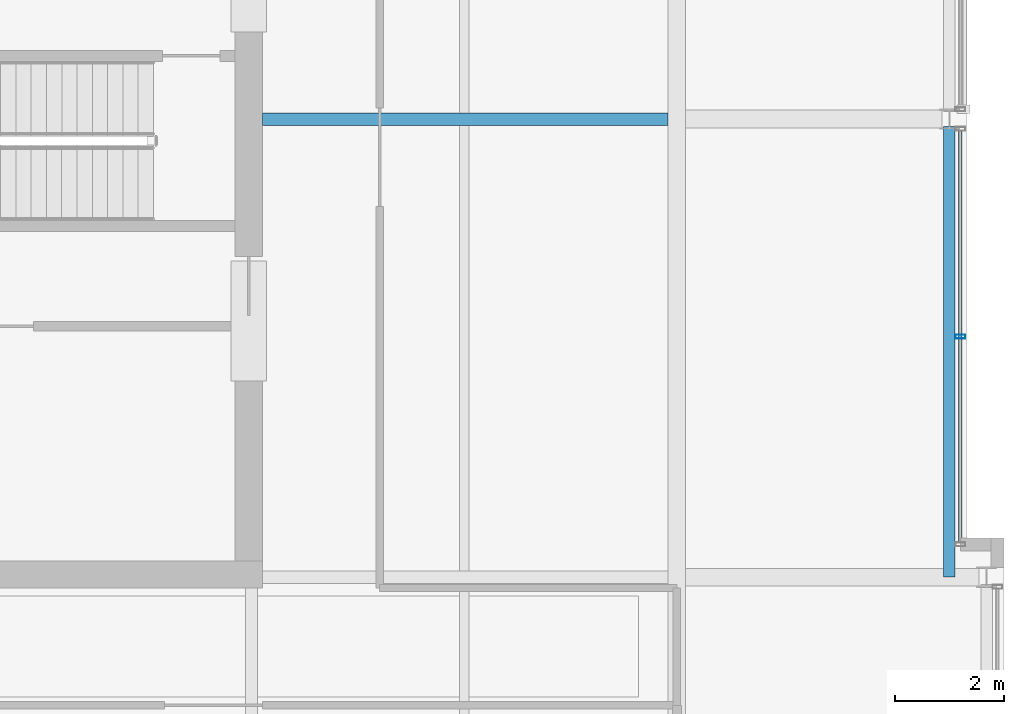
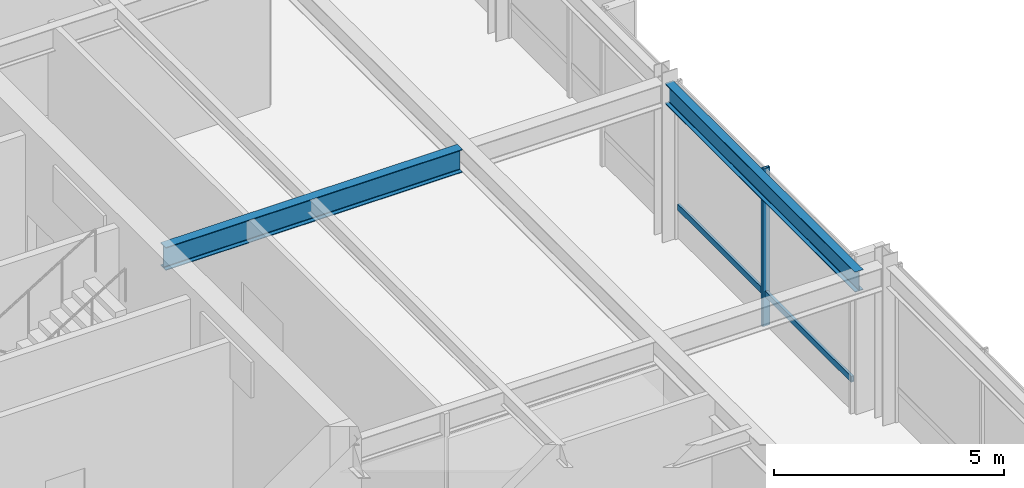
# One storey, part 15 of 32: 2 beams, 2 members, 1 element without a shape of its own.
"""IFC4 building model written with IfcOpenShell, lengths in metres."""

from ifc_helpers import new_model, si_unit, direction, frame, origin, origin_2d, place, context, subcontext, project, spatial, hollow_rectangle, i_section, extrude, material, layer, layer_set, material_profile, profile_set, type_object, element, aggregate, save


model = new_model("IFC4")

# Units and contexts
model_context = context("Model", 3, precision=1e-05, world=origin(), true_north=direction((0.0, 1.0)))
body_context = subcontext(model_context, "Body", "Model", "MODEL_VIEW")
ifc_project = project(units=[si_unit("LENGTHUNIT", "METRE"), si_unit("AREAUNIT", "SQUARE_METRE"), si_unit("VOLUMEUNIT", "CUBIC_METRE"), si_unit("PLANEANGLEUNIT", "RADIAN"), si_unit("MASSUNIT", "GRAM", prefix="KILO")], contexts=[model_context])

# Site, building, storey
site_placement = place(None, origin())
site = spatial("IfcSite", under=ifc_project, at=site_placement, CompositionType="ELEMENT")
building_placement = place(site_placement, origin())
building = spatial("IfcBuilding", under=site, at=building_placement, Name="Drelvath Grand Hotel", CompositionType="ELEMENT")
storey_placement = place(building_placement, frame((0.0, 0.0, 255.5)))
storey = spatial("IfcBuildingStorey", under=building, at=storey_placement, Name="L67", CompositionType="ELEMENT", Elevation=255.5)

# Curtain wall, members
ifc_material_1 = material(Name="Platinum-Mist Anodised Aluminium Frame", Category="aluminium")
ifc_layer = layer(ifc_material_1, 0.199951171875)
ifc_layer_set = layer_set([ifc_layer], Name="Platinum-Mist Anodised Aluminium Frame")
curtain_wall_type = type_object("IfcCurtainWallType", Name="Stick Curtain Wall CW-05 Platinum Mist High-Rise", PredefinedType="NOTDEFINED", material=ifc_layer_set)
curtain_wall_placement = place(storey_placement, origin())
curtain_wall = element("IfcCurtainWall", 1, at=curtain_wall_placement, inside=storey, type_object=curtain_wall_type, Name="L67 CW-05 Curtain Wall CW05-L67-EM1", PredefinedType="NOTDEFINED")
ifc_material_profile_1 = material_profile(ifc_material_1, hollow_rectangle(XDim=0.06494140625, YDim=0.159912109375, WallThickness=0.00390625, at=origin_2d()), Name="HSS160X65X4")
ifc_profile_set_1 = profile_set([ifc_material_profile_1], Name="Platinum-Mist Anodised Aluminium Frame")
member_type_1 = type_object("IfcMemberType", Name="Curtain Wall Horizontal Transom CW-05 HSS160X65X4", PredefinedType="USERDEFINED", material=ifc_profile_set_1)
member_1_placement = place(storey_placement, frame((21.39990234375, 26.78173828125, 0.85009765625), z_axis=(0.0, -1.0, 0.0), x_axis=(1.0, 0.0, 0.0)))
member_1 = element("IfcMember", 2, at=member_1_placement, type_object=member_type_1, Name="CW05-L67-EM1 Sill Transom", ObjectType="TRANSOM", PredefinedType="USERDEFINED", context=body_context, shape_type="SweptSolid", body=[
    extrude(hollow_rectangle(XDim=0.06494140625, YDim=0.159912109375, WallThickness=0.00390625, at=origin_2d()), origin(), (0.0, 0.0, 1.0), 7.541748046875),
])
ifc_material_profile_2 = material_profile(ifc_material_1, hollow_rectangle(XDim=0.074951171875, YDim=0.179931640625, WallThickness=0.0048828125, at=origin_2d()), Name="HSS180X75X5")
ifc_profile_set_2 = profile_set([ifc_material_profile_2], Name="Platinum-Mist Anodised Aluminium Frame")
member_type_2 = type_object("IfcMemberType", Name="Curtain Wall Vertical Mullion CW-05 HSS180X75X5", PredefinedType="MULLION", material=ifc_profile_set_2)
member_2_placement = place(storey_placement, frame((21.39990234375, 23.010986328125, 0.0), z_axis=(0.0, 0.0, 1.0), x_axis=(0.0, 1.0, 0.0)))
member_2 = element("IfcMember", 3, at=member_2_placement, type_object=member_type_2, Name="CW05-L67-EM1 Mullion 2", PredefinedType="MULLION", context=body_context, shape_type="SweptSolid", body=[
    extrude(hollow_rectangle(XDim=0.074951171875, YDim=0.179931640625, WallThickness=0.0048828125, at=origin_2d()), origin(), (0.0, 0.0, 1.0), 4.179931640625),
])
aggregate(curtain_wall, [member_2, member_1])

# Beams
ifc_material_2 = material(Name="Steel ASTM A992 Gr 50", Category="steel")
ifc_material_profile_3 = material_profile(ifc_material_2, i_section(OverallWidth=0.210205078125, OverallDepth=0.53662109375, WebThickness=0.010986328125, FlangeThickness=0.017333984375, FilletRadius=0.01806640625, at=origin_2d()), Name="W21X68")
ifc_profile_set_3 = profile_set([ifc_material_profile_3], Name="Steel ASTM A992 Gr 50")
beam_type_1 = type_object("IfcBeamType", Name="Perimeter Spandrel Beam W21X68", PredefinedType="SPANDREL", material=ifc_profile_set_3)
beam_1_placement = place(storey_placement, frame((21.199951171875, 18.60009765625, 3.91162109375), z_axis=(0.0, 1.0, 0.0), x_axis=(-1.0, 0.0, 0.0)))
element("IfcBeam", 4, at=beam_1_placement, inside=storey, type_object=beam_type_1, Name="L67 Spandrel East Mid S", PredefinedType="SPANDREL", context=body_context, shape_type="SweptSolid", body=[
    extrude(i_section(OverallWidth=0.210205078125, OverallDepth=0.53662109375, WebThickness=0.010986328125, FlangeThickness=0.017333984375, FilletRadius=0.01806640625, at=origin_2d()), origin(), (0.0, 0.0, 1.0), 8.260009765625),
])
ifc_material_profile_4 = material_profile(ifc_material_2, i_section(OverallWidth=0.228271484375, OverallDepth=0.607666015625, WebThickness=0.01123046875, FlangeThickness=0.017333984375, FilletRadius=0.02001953125, at=origin_2d()), Name="W24X76")
ifc_profile_set_4 = profile_set([ifc_material_profile_4], Name="Steel ASTM A992 Gr 50")
beam_type_2 = type_object("IfcBeamType", Name="Primary Floor Girder W24X76", PredefinedType="BEAM", material=ifc_profile_set_4)
beam_2_placement = place(storey_placement, frame((8.60009765625, 27.0, 3.876220703125), z_axis=(1.0, 0.0, 0.0), x_axis=(0.0, 1.0, 0.0)))
element("IfcBeam", 5, at=beam_2_placement, inside=storey, type_object=beam_type_2, Name="L67 East Core Tie E", PredefinedType="BEAM", context=body_context, shape_type="SweptSolid", body=[
    extrude(i_section(OverallWidth=0.228271484375, OverallDepth=0.607666015625, WebThickness=0.01123046875, FlangeThickness=0.017333984375, FilletRadius=0.02001953125, at=origin_2d()), origin(), (0.0, 0.0, 1.0), 7.43798828125),
])

save(model, "model.ifc")
